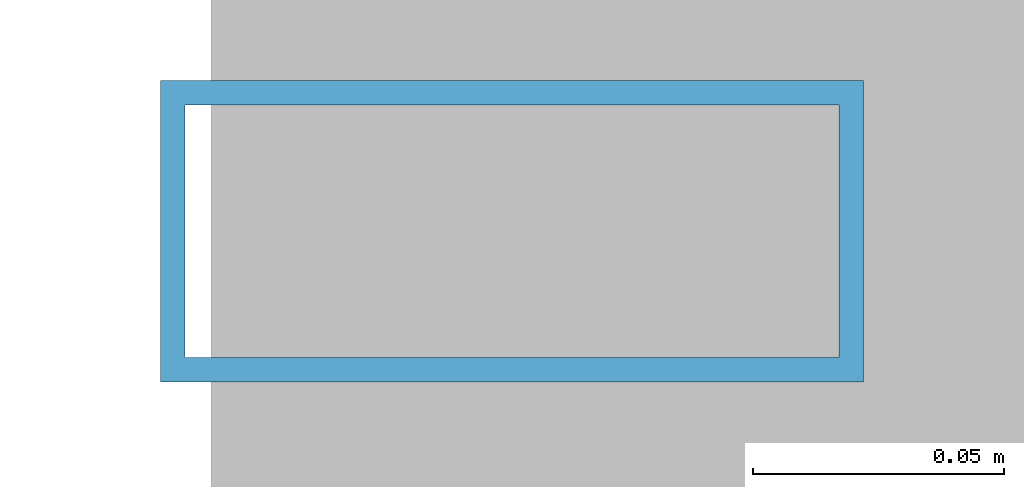
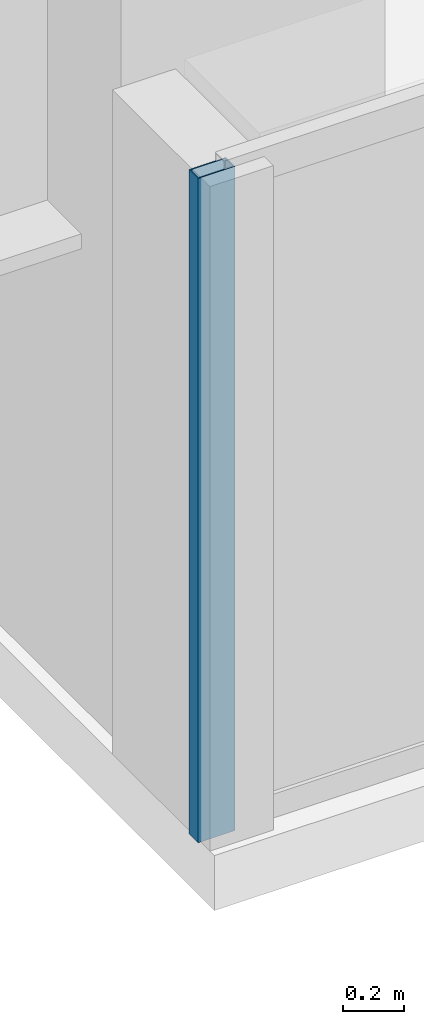
# One storey, part 7 of 32: 1 member, 1 element without a shape of its own.
"""IFC4 building model written with IfcOpenShell, lengths in metres."""

from ifc_helpers import new_model, si_unit, direction, frame, origin, origin_2d, place, context, subcontext, project, spatial, hollow_rectangle, extrude, source, transform, mapped, material, layer, layer_set, material_profile, profile_set, type_object, element, aggregate, save


model = new_model("IFC4")

# Units and contexts
model_context = context("Model", 3, precision=1e-05, world=origin(), true_north=direction((0.0, 1.0)))
body_context = subcontext(model_context, "Body", "Model", "MODEL_VIEW")
ifc_project = project(units=[si_unit("LENGTHUNIT", "METRE"), si_unit("AREAUNIT", "SQUARE_METRE"), si_unit("VOLUMEUNIT", "CUBIC_METRE"), si_unit("PLANEANGLEUNIT", "RADIAN"), si_unit("MASSUNIT", "GRAM", prefix="KILO")], contexts=[model_context])

# Site, building, storey
site_placement = place(None, origin())
site = spatial("IfcSite", under=ifc_project, at=site_placement, CompositionType="ELEMENT")
building_placement = place(site_placement, origin())
building = spatial("IfcBuilding", under=site, at=building_placement, Name="Sumidabori Civic Tower", CompositionType="ELEMENT")
storey_placement = place(building_placement, frame((0.0, 0.0, 225.199951171875)))
storey = spatial("IfcBuildingStorey", under=building, at=storey_placement, Name="L58", CompositionType="ELEMENT", Elevation=225.199951171875)

# Curtain wall, member
ifc_material = material(Name="Anodised Bronze Aluminium AW-6063-T6", Category="aluminium")
ifc_layer = layer(ifc_material, 0.179931640625, Name="Anodised Bronze Aluminium AW-6063-T6")
ifc_layer_set = layer_set([ifc_layer], Name="Anodised Bronze Aluminium AW-6063-T6")
curtain_wall_type = type_object("IfcCurtainWallType", Name="CW-SYS-5", PredefinedType="NOTDEFINED", material=ifc_layer_set)
curtain_wall_placement = place(storey_placement, origin())
curtain_wall = element("IfcCurtainWall", 1, at=curtain_wall_placement, inside=storey, type_object=curtain_wall_type, Name="Curtain Wall CW:L58:R09", PredefinedType="NOTDEFINED")
ifc_material_profile = material_profile(ifc_material, hollow_rectangle(XDim=0.06005859375, YDim=0.139892578125, WallThickness=0.0048828125, at=origin_2d()), Name="ALU MULLION 140x60")
ifc_profile_set = profile_set([ifc_material_profile], Name="Anodised Bronze Aluminium AW-6063-T6")
member_type = type_object("IfcMemberType", Name="CW-MUL-140", PredefinedType="MULLION", material=ifc_profile_set)
shared_shape = source(origin(), body_context, "Body", "SweptSolid", [
    extrude(hollow_rectangle(XDim=0.06005859375, YDim=0.139892578125, WallThickness=0.0048828125, at=origin_2d()), origin(), (0.0, 0.0, 1.0), 2.66015625),
])
member_placement = place(storey_placement, frame((7.909912109375, -11.8798828125, 0.0), z_axis=(0.0, 0.0, 1.0), x_axis=(0.0, 1.0, 0.0)))
member = element("IfcMember", 2, at=member_placement, type_object=member_type, Name="CW-5 mullion 1", PredefinedType="MULLION", context=body_context, shape_type="MappedRepresentation", body=[
    mapped(shared_shape, transform((0.0, 0.0, 0.0), x_axis=(1.0, 0.0, 0.0), y_axis=(0.0, 1.0, 0.0), z_axis=(0.0, 0.0, 1.0), scale=1.0)),
])
aggregate(curtain_wall, [member])

save(model, "model.ifc")
